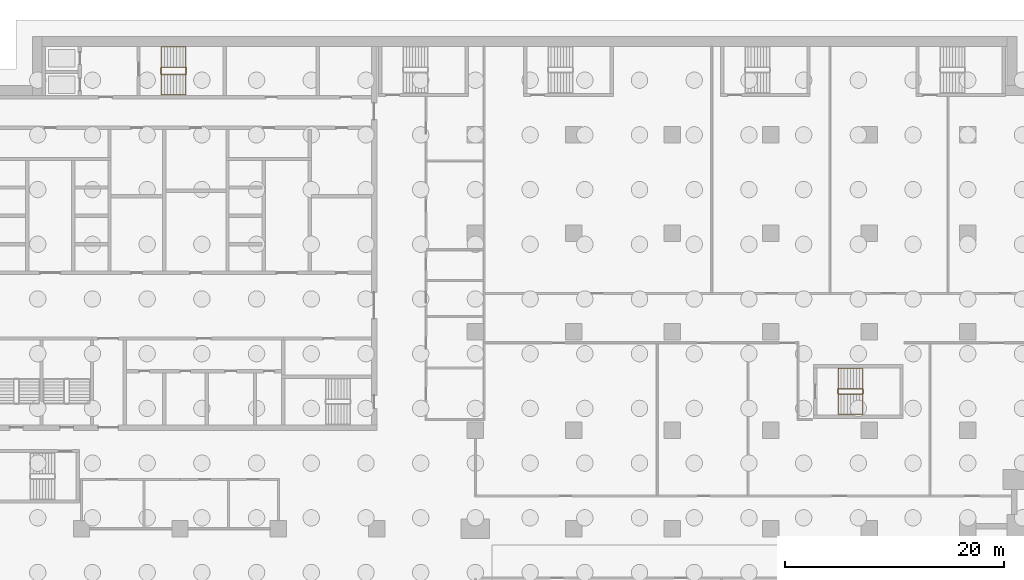
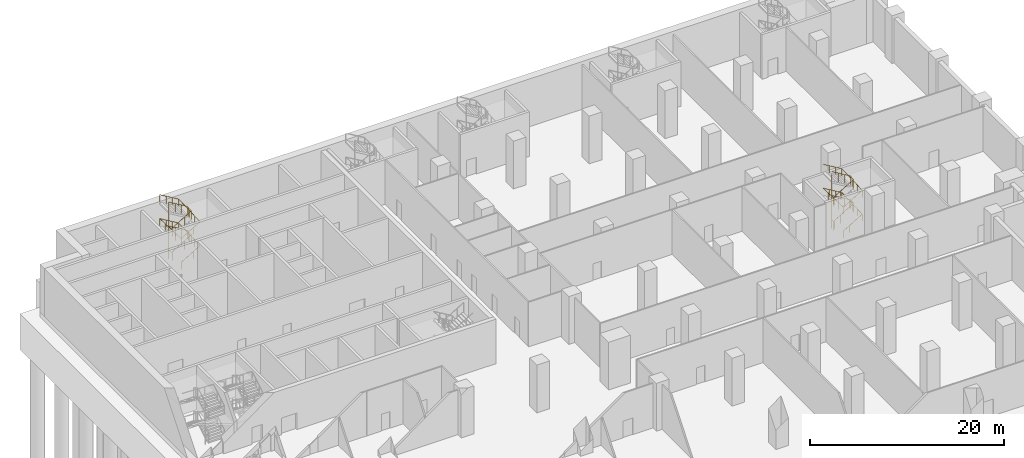
# One storey, part 22 of 25: 4 railings.
"""IFC4 building model written with IfcOpenShell, lengths in metres."""

from ifc_helpers import new_model, si_unit, direction, frame, origin, origin_2d, place, context, subcontext, project, spatial, circle, extrude, material, type_object, element, save


model = new_model("IFC4")

# Units and contexts
model_context = context("Model", 3, precision=1e-05, world=origin(), true_north=direction((0.0, 1.0)))
body_context = subcontext(model_context, "Body", "Model", "MODEL_VIEW")
ifc_project = project(units=[si_unit("LENGTHUNIT", "METRE"), si_unit("AREAUNIT", "SQUARE_METRE"), si_unit("VOLUMEUNIT", "CUBIC_METRE"), si_unit("PLANEANGLEUNIT", "RADIAN"), si_unit("MASSUNIT", "GRAM", prefix="KILO")], contexts=[model_context])

# Site, building, storey
site_placement = place(None, origin())
site = spatial("IfcSite", under=ifc_project, at=site_placement, CompositionType="ELEMENT")
building_placement = place(site_placement, origin())
building = spatial("IfcBuilding", under=site, at=building_placement, Name="Hunhe Ridgeline Campus", CompositionType="ELEMENT")
storey_placement = place(building_placement, frame((0.0, 0.0, -6.0)))
storey = spatial("IfcBuildingStorey", under=building, at=storey_placement, Name="B1", CompositionType="ELEMENT", Elevation=-6.0)

# Railings
ifc_material_1 = material(Name="Stainless steel balustrade", Category="steel")
railing_type_1 = type_object("IfcRailingType", Name="Stair guard 1100 stainless", PredefinedType="GUARDRAIL", material=ifc_material_1)
railing_1_placement = place(storey_placement, frame((16.300048828125, 95.5, 0.166748046875)))
element("IfcRailing", 1, at=railing_1_placement, inside=storey, type_object=railing_type_1, Name="B1 stair S1 guard", PredefinedType="GUARDRAIL", context=body_context, shape_type="SweptSolid", body=[
    extrude(circle(Radius=0.02392578125, at=origin_2d()), frame((0.0, 0.0, 1.076171875), z_axis=(0.859305625298, 0.0, 0.511462454469), x_axis=(0.0, 1.0, 0.0)), (0.0, 0.0, 1.0), 2.606689453125),
    extrude(circle(Radius=0.02392578125, at=origin_2d()), frame((2.239990234375, 0.0, 2.4091796875), z_axis=(0.707106781187, 0.707106781187, 0.0), x_axis=(-0.707106781187, 0.707106781187, 0.0)), (0.0, 0.0, 1.0), 0.07080078125),
    extrude(circle(Radius=0.02392578125, at=origin_2d()), frame((2.2900390625, 0.050048828125, 2.4091796875), z_axis=(0.0, 1.0, 0.0), x_axis=(-1.0, 0.0, 0.0)), (0.0, 0.0, 1.0), 0.599853515625),
    extrude(circle(Radius=0.02392578125, at=origin_2d()), frame((2.2900390625, 0.64990234375, 2.4091796875), z_axis=(-0.27628659633, 0.27628659633, 0.920506074601), x_axis=(-0.707106781187, -0.707106781187, 0.0)), (0.0, 0.0, 1.0), 0.18115234375),
    extrude(circle(Radius=0.02392578125, at=origin_2d()), frame((2.239990234375, 0.699951171875, 2.576171875), z_axis=(-0.859305625298, 0.0, 0.511462454469), x_axis=(0.0, -1.0, 0.0)), (0.0, 0.0, 1.0), 2.606689453125),
    extrude(circle(Radius=0.02392578125, at=origin_2d()), frame((0.0, 0.699951171875, 3.9091796875), z_axis=(-0.707106781187, -0.707106781187, 0.0), x_axis=(0.707106781187, -0.707106781187, 0.0)), (0.0, 0.0, 1.0), 0.07080078125),
    extrude(circle(Radius=0.02392578125, at=origin_2d()), frame((-0.050048828125, 0.64990234375, 3.9091796875), z_axis=(0.0, -1.0, 0.0), x_axis=(1.0, 0.0, 0.0)), (0.0, 0.0, 1.0), 0.599853515625),
    extrude(circle(Radius=0.02392578125, at=origin_2d()), frame((-0.050048828125, 0.050048828125, 3.9091796875), z_axis=(0.27628659633, -0.27628659633, 0.920506074601), x_axis=(0.707106781187, 0.707106781187, 0.0)), (0.0, 0.0, 1.0), 0.18115234375),
    extrude(circle(Radius=0.02392578125, at=origin_2d()), frame((0.0, 0.0, 4.076171875), z_axis=(0.859305625298, 0.0, 0.511462454469), x_axis=(0.0, 1.0, 0.0)), (0.0, 0.0, 1.0), 2.606689453125),
    extrude(circle(Radius=0.02392578125, at=origin_2d()), frame((2.239990234375, 0.0, 5.4091796875), z_axis=(0.707106781187, 0.707106781187, 0.0), x_axis=(-0.707106781187, 0.707106781187, 0.0)), (0.0, 0.0, 1.0), 0.07080078125),
    extrude(circle(Radius=0.02392578125, at=origin_2d()), frame((2.2900390625, 0.050048828125, 5.4091796875), z_axis=(0.0, 1.0, 0.0), x_axis=(-1.0, 0.0, 0.0)), (0.0, 0.0, 1.0), 0.599853515625),
    extrude(circle(Radius=0.02392578125, at=origin_2d()), frame((2.2900390625, 0.64990234375, 5.4091796875), z_axis=(-0.27628659633, 0.27628659633, 0.920506074601), x_axis=(-0.707106781187, -0.707106781187, 0.0)), (0.0, 0.0, 1.0), 0.18115234375),
    extrude(circle(Radius=0.02392578125, at=origin_2d()), frame((2.239990234375, 0.699951171875, 5.576171875), z_axis=(-0.859305625298, 0.0, 0.511462454469), x_axis=(0.0, -1.0, 0.0)), (0.0, 0.0, 1.0), 2.606689453125),
    extrude(circle(Radius=0.02392578125, at=origin_2d()), frame((0.0, 0.699951171875, 6.9091796875), z_axis=(-0.008340891014, -0.008340891014, -0.999930427117), x_axis=(1.0, 0.0, 0.0)), (0.0, 0.0, 1.0), 6.00048828125),
    extrude(circle(Radius=0.02392578125, at=origin_2d()), frame((-0.050048828125, 0.64990234375, 0.9091796875), z_axis=(0.0, -1.0, 0.0), x_axis=(1.0, 0.0, 0.0)), (0.0, 0.0, 1.0), 0.599853515625),
    extrude(circle(Radius=0.02099609375, at=origin_2d()), origin(), (0.0, 0.0, 1.0), 1.052001953125),
    extrude(circle(Radius=0.02099609375, at=origin_2d()), frame((0.74658203125, 0.0, 0.4443359375)), (0.0, 0.0, 1.0), 1.052001953125),
    extrude(circle(Radius=0.02099609375, at=origin_2d()), frame((1.493408203125, 0.0, 0.888916015625)), (0.0, 0.0, 1.0), 1.052001953125),
    extrude(circle(Radius=0.02099609375, at=origin_2d()), frame((2.239990234375, 0.0, 1.333251953125)), (0.0, 0.0, 1.0), 1.052001953125),
    extrude(circle(Radius=0.02099609375, at=origin_2d()), frame((2.2900390625, 0.050048828125, 1.333251953125)), (0.0, 0.0, 1.0), 1.052001953125),
    extrude(circle(Radius=0.02099609375, at=origin_2d()), frame((2.2900390625, 0.64990234375, 1.333251953125)), (0.0, 0.0, 1.0), 1.052001953125),
    extrude(circle(Radius=0.02099609375, at=origin_2d()), frame((2.239990234375, 0.699951171875, 1.5)), (0.0, 0.0, 1.0), 1.052001953125),
    extrude(circle(Radius=0.02099609375, at=origin_2d()), frame((1.493408203125, 0.699951171875, 1.9443359375)), (0.0, 0.0, 1.0), 1.052001953125),
    extrude(circle(Radius=0.02099609375, at=origin_2d()), frame((0.74658203125, 0.699951171875, 2.388916015625)), (0.0, 0.0, 1.0), 1.052001953125),
    extrude(circle(Radius=0.02099609375, at=origin_2d()), frame((0.0, 0.699951171875, 2.833251953125)), (0.0, 0.0, 1.0), 1.052001953125),
    extrude(circle(Radius=0.02099609375, at=origin_2d()), frame((-0.050048828125, 0.64990234375, 2.833251953125)), (0.0, 0.0, 1.0), 1.052001953125),
    extrude(circle(Radius=0.02099609375, at=origin_2d()), frame((-0.050048828125, 0.050048828125, 2.833251953125)), (0.0, 0.0, 1.0), 1.052001953125),
    extrude(circle(Radius=0.02099609375, at=origin_2d()), frame((0.0, 0.0, 3.0)), (0.0, 0.0, 1.0), 1.052001953125),
    extrude(circle(Radius=0.02099609375, at=origin_2d()), frame((0.74658203125, 0.0, 3.4443359375)), (0.0, 0.0, 1.0), 1.052001953125),
    extrude(circle(Radius=0.02099609375, at=origin_2d()), frame((1.493408203125, 0.0, 3.888916015625)), (0.0, 0.0, 1.0), 1.052001953125),
    extrude(circle(Radius=0.02099609375, at=origin_2d()), frame((2.239990234375, 0.0, 4.333251953125)), (0.0, 0.0, 1.0), 1.052001953125),
    extrude(circle(Radius=0.02099609375, at=origin_2d()), frame((2.2900390625, 0.050048828125, 4.333251953125)), (0.0, 0.0, 1.0), 1.052001953125),
    extrude(circle(Radius=0.02099609375, at=origin_2d()), frame((2.2900390625, 0.64990234375, 4.333251953125)), (0.0, 0.0, 1.0), 1.052001953125),
    extrude(circle(Radius=0.02099609375, at=origin_2d()), frame((2.239990234375, 0.699951171875, 4.5)), (0.0, 0.0, 1.0), 1.052001953125),
    extrude(circle(Radius=0.02099609375, at=origin_2d()), frame((1.493408203125, 0.699951171875, 4.9443359375)), (0.0, 0.0, 1.0), 1.052001953125),
    extrude(circle(Radius=0.02099609375, at=origin_2d()), frame((0.74658203125, 0.699951171875, 5.388916015625)), (0.0, 0.0, 1.0), 1.052001953125),
    extrude(circle(Radius=0.02099609375, at=origin_2d()), frame((0.0, 0.699951171875, 5.833251953125)), (0.0, 0.0, 1.0), 1.052001953125),
    extrude(circle(Radius=0.02099609375, at=origin_2d()), frame((-0.00830078125, 0.691650390625, 4.833251953125)), (0.0, 0.0, 1.0), 1.052001953125),
    extrude(circle(Radius=0.02099609375, at=origin_2d()), frame((-0.0166015625, 0.683349609375, 3.833251953125)), (0.0, 0.0, 1.0), 1.052001953125),
    extrude(circle(Radius=0.02099609375, at=origin_2d()), frame((-0.02490234375, 0.6748046875, 2.833251953125)), (0.0, 0.0, 1.0), 1.052001953125),
    extrude(circle(Radius=0.02099609375, at=origin_2d()), frame((-0.033447265625, 0.66650390625, 1.833251953125)), (0.0, 0.0, 1.0), 1.052001953125),
    extrude(circle(Radius=0.02099609375, at=origin_2d()), frame((-0.041748046875, 0.658203125, 0.833251953125)), (0.0, 0.0, 1.0), 1.052001953125),
    extrude(circle(Radius=0.02099609375, at=origin_2d()), frame((-0.050048828125, 0.64990234375, -0.166748046875)), (0.0, 0.0, 1.0), 1.052001953125),
    extrude(circle(Radius=0.02099609375, at=origin_2d()), frame((-0.050048828125, 0.050048828125, -0.166748046875)), (0.0, 0.0, 1.0), 1.052001953125),
])
railing_2_placement = place(storey_placement, frame((78.14990234375, 66.300048828125, 0.166748046875)))
element("IfcRailing", 2, at=railing_2_placement, inside=storey, type_object=railing_type_1, Name="B1 stair E5 guard", PredefinedType="GUARDRAIL", context=body_context, shape_type="SweptSolid", body=[
    extrude(circle(Radius=0.02392578125, at=origin_2d()), frame((0.0, 0.0, 1.076171875), z_axis=(0.859305625298, 0.0, 0.511462454469), x_axis=(0.0, 1.0, 0.0)), (0.0, 0.0, 1.0), 2.606689453125),
    extrude(circle(Radius=0.02392578125, at=origin_2d()), frame((2.239990234375, 0.0, 2.4091796875), z_axis=(0.707106781187, 0.707106781187, 0.0), x_axis=(-0.707106781187, 0.707106781187, 0.0)), (0.0, 0.0, 1.0), 0.07080078125),
    extrude(circle(Radius=0.02392578125, at=origin_2d()), frame((2.2900390625, 0.050048828125, 2.4091796875), z_axis=(0.0, 1.0, 0.0), x_axis=(-1.0, 0.0, 0.0)), (0.0, 0.0, 1.0), 0.39990234375),
    extrude(circle(Radius=0.02392578125, at=origin_2d()), frame((2.2900390625, 0.449951171875, 2.4091796875), z_axis=(-0.27628659633, 0.27628659633, 0.920506074601), x_axis=(-0.707106781187, -0.707106781187, 0.0)), (0.0, 0.0, 1.0), 0.18115234375),
    extrude(circle(Radius=0.02392578125, at=origin_2d()), frame((2.239990234375, 0.5, 2.576171875), z_axis=(-0.859305625298, 0.0, 0.511462454469), x_axis=(0.0, -1.0, 0.0)), (0.0, 0.0, 1.0), 2.606689453125),
    extrude(circle(Radius=0.02392578125, at=origin_2d()), frame((0.0, 0.5, 3.9091796875), z_axis=(-0.705375805398, -0.708833529934, 0.0), x_axis=(0.708833529934, -0.705375805398, 0.0)), (0.0, 0.0, 1.0), 0.070556640625),
    extrude(circle(Radius=0.02392578125, at=origin_2d()), frame((-0.0498046875, 0.449951171875, 3.9091796875), z_axis=(0.0, -1.0, 0.0), x_axis=(1.0, 0.0, 0.0)), (0.0, 0.0, 1.0), 0.39990234375),
    extrude(circle(Radius=0.02392578125, at=origin_2d()), frame((-0.0498046875, 0.050048828125, 3.9091796875), z_axis=(0.275041040955, -0.276389281352, 0.920848191041), x_axis=(0.708833529934, 0.705375805398, 0.0)), (0.0, 0.0, 1.0), 0.18115234375),
    extrude(circle(Radius=0.02392578125, at=origin_2d()), frame((0.0, 0.0, 4.076171875), z_axis=(0.859305625298, 0.0, 0.511462454469), x_axis=(0.0, 1.0, 0.0)), (0.0, 0.0, 1.0), 2.606689453125),
    extrude(circle(Radius=0.02392578125, at=origin_2d()), frame((2.239990234375, 0.0, 5.4091796875), z_axis=(0.707106781187, 0.707106781187, 0.0), x_axis=(-0.707106781187, 0.707106781187, 0.0)), (0.0, 0.0, 1.0), 0.07080078125),
    extrude(circle(Radius=0.02392578125, at=origin_2d()), frame((2.2900390625, 0.050048828125, 5.4091796875), z_axis=(0.0, 1.0, 0.0), x_axis=(-1.0, 0.0, 0.0)), (0.0, 0.0, 1.0), 0.39990234375),
    extrude(circle(Radius=0.02392578125, at=origin_2d()), frame((2.2900390625, 0.449951171875, 5.4091796875), z_axis=(-0.27628659633, 0.27628659633, 0.920506074601), x_axis=(-0.707106781187, -0.707106781187, 0.0)), (0.0, 0.0, 1.0), 0.18115234375),
    extrude(circle(Radius=0.02392578125, at=origin_2d()), frame((2.239990234375, 0.5, 5.576171875), z_axis=(-0.859305625298, 0.0, 0.511462454469), x_axis=(0.0, -1.0, 0.0)), (0.0, 0.0, 1.0), 2.606689453125),
    extrude(circle(Radius=0.02392578125, at=origin_2d()), frame((0.0, 0.5, 6.9091796875), z_axis=(-0.008300206551, -0.008340893838, -0.999930765634), x_axis=(1.0, 0.0, 0.0)), (0.0, 0.0, 1.0), 6.00048828125),
    extrude(circle(Radius=0.02392578125, at=origin_2d()), frame((-0.0498046875, 0.449951171875, 0.9091796875), z_axis=(0.0, -1.0, 0.0), x_axis=(1.0, 0.0, 0.0)), (0.0, 0.0, 1.0), 0.39990234375),
    extrude(circle(Radius=0.02099609375, at=origin_2d()), origin(), (0.0, 0.0, 1.0), 1.052001953125),
    extrude(circle(Radius=0.02099609375, at=origin_2d()), frame((0.74658203125, 0.0, 0.4443359375)), (0.0, 0.0, 1.0), 1.052001953125),
    extrude(circle(Radius=0.02099609375, at=origin_2d()), frame((1.493408203125, 0.0, 0.888916015625)), (0.0, 0.0, 1.0), 1.052001953125),
    extrude(circle(Radius=0.02099609375, at=origin_2d()), frame((2.239990234375, 0.0, 1.333251953125)), (0.0, 0.0, 1.0), 1.052001953125),
    extrude(circle(Radius=0.02099609375, at=origin_2d()), frame((2.2900390625, 0.050048828125, 1.333251953125)), (0.0, 0.0, 1.0), 1.052001953125),
    extrude(circle(Radius=0.02099609375, at=origin_2d()), frame((2.2900390625, 0.449951171875, 1.333251953125)), (0.0, 0.0, 1.0), 1.052001953125),
    extrude(circle(Radius=0.02099609375, at=origin_2d()), frame((2.239990234375, 0.5, 1.5)), (0.0, 0.0, 1.0), 1.052001953125),
    extrude(circle(Radius=0.02099609375, at=origin_2d()), frame((1.493408203125, 0.5, 1.9443359375)), (0.0, 0.0, 1.0), 1.052001953125),
    extrude(circle(Radius=0.02099609375, at=origin_2d()), frame((0.74658203125, 0.5, 2.388916015625)), (0.0, 0.0, 1.0), 1.052001953125),
    extrude(circle(Radius=0.02099609375, at=origin_2d()), frame((0.0, 0.5, 2.833251953125)), (0.0, 0.0, 1.0), 1.052001953125),
    extrude(circle(Radius=0.02099609375, at=origin_2d()), frame((-0.0498046875, 0.449951171875, 2.833251953125)), (0.0, 0.0, 1.0), 1.052001953125),
    extrude(circle(Radius=0.02099609375, at=origin_2d()), frame((-0.0498046875, 0.050048828125, 2.833251953125)), (0.0, 0.0, 1.0), 1.052001953125),
    extrude(circle(Radius=0.02099609375, at=origin_2d()), frame((0.0, 0.0, 3.0)), (0.0, 0.0, 1.0), 1.052001953125),
    extrude(circle(Radius=0.02099609375, at=origin_2d()), frame((0.74658203125, 0.0, 3.4443359375)), (0.0, 0.0, 1.0), 1.052001953125),
    extrude(circle(Radius=0.02099609375, at=origin_2d()), frame((1.493408203125, 0.0, 3.888916015625)), (0.0, 0.0, 1.0), 1.052001953125),
    extrude(circle(Radius=0.02099609375, at=origin_2d()), frame((2.239990234375, 0.0, 4.333251953125)), (0.0, 0.0, 1.0), 1.052001953125),
    extrude(circle(Radius=0.02099609375, at=origin_2d()), frame((2.2900390625, 0.050048828125, 4.333251953125)), (0.0, 0.0, 1.0), 1.052001953125),
    extrude(circle(Radius=0.02099609375, at=origin_2d()), frame((2.2900390625, 0.449951171875, 4.333251953125)), (0.0, 0.0, 1.0), 1.052001953125),
    extrude(circle(Radius=0.02099609375, at=origin_2d()), frame((2.239990234375, 0.5, 4.5)), (0.0, 0.0, 1.0), 1.052001953125),
    extrude(circle(Radius=0.02099609375, at=origin_2d()), frame((1.493408203125, 0.5, 4.9443359375)), (0.0, 0.0, 1.0), 1.052001953125),
    extrude(circle(Radius=0.02099609375, at=origin_2d()), frame((0.74658203125, 0.5, 5.388916015625)), (0.0, 0.0, 1.0), 1.052001953125),
    extrude(circle(Radius=0.02099609375, at=origin_2d()), frame((0.0, 0.5, 5.833251953125)), (0.0, 0.0, 1.0), 1.052001953125),
    extrude(circle(Radius=0.02099609375, at=origin_2d()), frame((-0.00830078125, 0.49169921875, 4.833251953125)), (0.0, 0.0, 1.0), 1.052001953125),
    extrude(circle(Radius=0.02099609375, at=origin_2d()), frame((-0.0166015625, 0.4833984375, 3.833251953125)), (0.0, 0.0, 1.0), 1.052001953125),
    extrude(circle(Radius=0.02099609375, at=origin_2d()), frame((-0.02490234375, 0.47509765625, 2.833251953125)), (0.0, 0.0, 1.0), 1.052001953125),
    extrude(circle(Radius=0.02099609375, at=origin_2d()), frame((-0.033203125, 0.466552734375, 1.833251953125)), (0.0, 0.0, 1.0), 1.052001953125),
    extrude(circle(Radius=0.02099609375, at=origin_2d()), frame((-0.04150390625, 0.458251953125, 0.833251953125)), (0.0, 0.0, 1.0), 1.052001953125),
    extrude(circle(Radius=0.02099609375, at=origin_2d()), frame((-0.0498046875, 0.449951171875, -0.166748046875)), (0.0, 0.0, 1.0), 1.052001953125),
    extrude(circle(Radius=0.02099609375, at=origin_2d()), frame((-0.0498046875, 0.050048828125, -0.166748046875)), (0.0, 0.0, 1.0), 1.052001953125),
])
ifc_material_2 = material(Name="Stainless steel handrail", Category="steel")
railing_type_2 = type_object("IfcRailingType", Name="Stair handrail 900 stainless", PredefinedType="HANDRAIL", material=ifc_material_2)
railing_3_placement = place(storey_placement, frame((16.300048828125, 93.64990234375, 0.166748046875)))
element("IfcRailing", 3, at=railing_3_placement, inside=storey, type_object=railing_type_2, Name="B1 stair S1 handrail", PredefinedType="HANDRAIL", context=body_context, shape_type="SweptSolid", body=[
    extrude(circle(Radius=0.02392578125, at=origin_2d()), frame((0.0, 0.0, 0.8759765625), z_axis=(0.859305625298, 0.0, 0.511462454469), x_axis=(0.0, 1.0, 0.0)), (0.0, 0.0, 1.0), 2.606689453125),
    extrude(circle(Radius=0.02392578125, at=origin_2d()), frame((2.239990234375, 0.0, 2.208984375), z_axis=(0.0, 0.999282718246, 0.037868839625), x_axis=(-1.0, 0.0, 0.0)), (0.0, 0.0, 1.0), 4.4033203125),
    extrude(circle(Radius=0.02392578125, at=origin_2d()), frame((2.239990234375, 4.400146484375, 2.3759765625), z_axis=(-0.859305625298, 0.0, 0.511462454469), x_axis=(0.0, -1.0, 0.0)), (0.0, 0.0, 1.0), 2.606689453125),
    extrude(circle(Radius=0.02392578125, at=origin_2d()), frame((0.0, 4.400146484375, 3.708984375), z_axis=(0.0, -0.999282718246, 0.037868839625), x_axis=(1.0, 0.0, 0.0)), (0.0, 0.0, 1.0), 4.4033203125),
    extrude(circle(Radius=0.02392578125, at=origin_2d()), frame((0.0, 0.0, 3.8759765625), z_axis=(0.859305625298, 0.0, 0.511462454469), x_axis=(0.0, 1.0, 0.0)), (0.0, 0.0, 1.0), 2.606689453125),
    extrude(circle(Radius=0.02392578125, at=origin_2d()), frame((2.239990234375, 0.0, 5.208984375), z_axis=(0.0, 0.999282718246, 0.037868839625), x_axis=(-1.0, 0.0, 0.0)), (0.0, 0.0, 1.0), 4.4033203125),
    extrude(circle(Radius=0.02392578125, at=origin_2d()), frame((2.239990234375, 4.400146484375, 5.3759765625), z_axis=(-0.859305625298, 0.0, 0.511462454469), x_axis=(0.0, -1.0, 0.0)), (0.0, 0.0, 1.0), 2.606689453125),
    extrude(circle(Radius=0.02099609375, at=origin_2d()), origin(), (0.0, 0.0, 1.0), 0.851806640625),
    extrude(circle(Radius=0.02099609375, at=origin_2d()), frame((0.74658203125, 0.0, 0.4443359375)), (0.0, 0.0, 1.0), 0.851806640625),
    extrude(circle(Radius=0.02099609375, at=origin_2d()), frame((1.493408203125, 0.0, 0.888916015625)), (0.0, 0.0, 1.0), 0.851806640625),
    extrude(circle(Radius=0.02099609375, at=origin_2d()), frame((2.239990234375, 0.0, 1.333251953125)), (0.0, 0.0, 1.0), 0.851806640625),
    extrude(circle(Radius=0.02099609375, at=origin_2d()), frame((2.239990234375, 1.10009765625, 1.375)), (0.0, 0.0, 1.0), 0.851806640625),
    extrude(circle(Radius=0.02099609375, at=origin_2d()), frame((2.239990234375, 2.2001953125, 1.41650390625)), (0.0, 0.0, 1.0), 0.851806640625),
    extrude(circle(Radius=0.02099609375, at=origin_2d()), frame((2.239990234375, 3.300048828125, 1.458251953125)), (0.0, 0.0, 1.0), 0.851806640625),
    extrude(circle(Radius=0.02099609375, at=origin_2d()), frame((2.239990234375, 4.400146484375, 1.5)), (0.0, 0.0, 1.0), 0.851806640625),
    extrude(circle(Radius=0.02099609375, at=origin_2d()), frame((1.493408203125, 4.400146484375, 1.9443359375)), (0.0, 0.0, 1.0), 0.851806640625),
    extrude(circle(Radius=0.02099609375, at=origin_2d()), frame((0.74658203125, 4.400146484375, 2.388916015625)), (0.0, 0.0, 1.0), 0.851806640625),
    extrude(circle(Radius=0.02099609375, at=origin_2d()), frame((0.0, 4.400146484375, 2.833251953125)), (0.0, 0.0, 1.0), 0.851806640625),
    extrude(circle(Radius=0.02099609375, at=origin_2d()), frame((0.0, 3.300048828125, 2.875)), (0.0, 0.0, 1.0), 0.851806640625),
    extrude(circle(Radius=0.02099609375, at=origin_2d()), frame((0.0, 2.2001953125, 2.91650390625)), (0.0, 0.0, 1.0), 0.851806640625),
    extrude(circle(Radius=0.02099609375, at=origin_2d()), frame((0.0, 1.10009765625, 2.958251953125)), (0.0, 0.0, 1.0), 0.851806640625),
    extrude(circle(Radius=0.02099609375, at=origin_2d()), frame((0.0, 0.0, 3.0)), (0.0, 0.0, 1.0), 0.851806640625),
    extrude(circle(Radius=0.02099609375, at=origin_2d()), frame((0.74658203125, 0.0, 3.4443359375)), (0.0, 0.0, 1.0), 0.851806640625),
    extrude(circle(Radius=0.02099609375, at=origin_2d()), frame((1.493408203125, 0.0, 3.888916015625)), (0.0, 0.0, 1.0), 0.851806640625),
    extrude(circle(Radius=0.02099609375, at=origin_2d()), frame((2.239990234375, 0.0, 4.333251953125)), (0.0, 0.0, 1.0), 0.851806640625),
    extrude(circle(Radius=0.02099609375, at=origin_2d()), frame((2.239990234375, 1.10009765625, 4.375)), (0.0, 0.0, 1.0), 0.851806640625),
    extrude(circle(Radius=0.02099609375, at=origin_2d()), frame((2.239990234375, 2.2001953125, 4.41650390625)), (0.0, 0.0, 1.0), 0.851806640625),
    extrude(circle(Radius=0.02099609375, at=origin_2d()), frame((2.239990234375, 3.300048828125, 4.458251953125)), (0.0, 0.0, 1.0), 0.851806640625),
    extrude(circle(Radius=0.02099609375, at=origin_2d()), frame((2.239990234375, 4.400146484375, 4.5)), (0.0, 0.0, 1.0), 0.851806640625),
    extrude(circle(Radius=0.02099609375, at=origin_2d()), frame((1.493408203125, 4.400146484375, 4.9443359375)), (0.0, 0.0, 1.0), 0.851806640625),
    extrude(circle(Radius=0.02099609375, at=origin_2d()), frame((0.74658203125, 4.400146484375, 5.388916015625)), (0.0, 0.0, 1.0), 0.851806640625),
    extrude(circle(Radius=0.02099609375, at=origin_2d()), frame((0.0, 4.400146484375, 5.833251953125)), (0.0, 0.0, 1.0), 0.851806640625),
])
railing_4_placement = place(storey_placement, frame((78.14990234375, 64.449951171875, 0.166748046875)))
element("IfcRailing", 4, at=railing_4_placement, inside=storey, type_object=railing_type_2, Name="B1 stair E5 handrail", PredefinedType="HANDRAIL", context=body_context, shape_type="SweptSolid", body=[
    extrude(circle(Radius=0.02392578125, at=origin_2d()), frame((0.0, 0.0, 0.8759765625), z_axis=(0.859305625298, 0.0, 0.511462454469), x_axis=(0.0, 1.0, 0.0)), (0.0, 0.0, 1.0), 2.606689453125),
    extrude(circle(Radius=0.02392578125, at=origin_2d()), frame((2.239990234375, 0.0, 2.208984375), z_axis=(0.0, 0.999212791134, 0.039671123429), x_axis=(-1.0, 0.0, 0.0)), (0.0, 0.0, 1.0), 4.203369140625),
    extrude(circle(Radius=0.02392578125, at=origin_2d()), frame((2.239990234375, 4.199951171875, 2.3759765625), z_axis=(-0.859305625298, 0.0, 0.511462454469), x_axis=(0.0, -1.0, 0.0)), (0.0, 0.0, 1.0), 2.606689453125),
    extrude(circle(Radius=0.02392578125, at=origin_2d()), frame((0.0, 4.199951171875, 3.708984375), z_axis=(0.0, -0.999212791134, 0.039671123429), x_axis=(1.0, 0.0, 0.0)), (0.0, 0.0, 1.0), 4.203369140625),
    extrude(circle(Radius=0.02392578125, at=origin_2d()), frame((0.0, 0.0, 3.8759765625), z_axis=(0.859305625298, 0.0, 0.511462454469), x_axis=(0.0, 1.0, 0.0)), (0.0, 0.0, 1.0), 2.606689453125),
    extrude(circle(Radius=0.02392578125, at=origin_2d()), frame((2.239990234375, 0.0, 5.208984375), z_axis=(0.0, 0.999212791134, 0.039671123429), x_axis=(-1.0, 0.0, 0.0)), (0.0, 0.0, 1.0), 4.203369140625),
    extrude(circle(Radius=0.02392578125, at=origin_2d()), frame((2.239990234375, 4.199951171875, 5.3759765625), z_axis=(-0.859305625298, 0.0, 0.511462454469), x_axis=(0.0, -1.0, 0.0)), (0.0, 0.0, 1.0), 2.606689453125),
    extrude(circle(Radius=0.02099609375, at=origin_2d()), origin(), (0.0, 0.0, 1.0), 0.851806640625),
    extrude(circle(Radius=0.02099609375, at=origin_2d()), frame((0.74658203125, 0.0, 0.4443359375)), (0.0, 0.0, 1.0), 0.851806640625),
    extrude(circle(Radius=0.02099609375, at=origin_2d()), frame((1.493408203125, 0.0, 0.888916015625)), (0.0, 0.0, 1.0), 0.851806640625),
    extrude(circle(Radius=0.02099609375, at=origin_2d()), frame((2.239990234375, 0.0, 1.333251953125)), (0.0, 0.0, 1.0), 0.851806640625),
    extrude(circle(Radius=0.02099609375, at=origin_2d()), frame((2.239990234375, 1.050048828125, 1.375)), (0.0, 0.0, 1.0), 0.851806640625),
    extrude(circle(Radius=0.02099609375, at=origin_2d()), frame((2.239990234375, 2.10009765625, 1.41650390625)), (0.0, 0.0, 1.0), 0.851806640625),
    extrude(circle(Radius=0.02099609375, at=origin_2d()), frame((2.239990234375, 3.14990234375, 1.458251953125)), (0.0, 0.0, 1.0), 0.851806640625),
    extrude(circle(Radius=0.02099609375, at=origin_2d()), frame((2.239990234375, 4.199951171875, 1.5)), (0.0, 0.0, 1.0), 0.851806640625),
    extrude(circle(Radius=0.02099609375, at=origin_2d()), frame((1.493408203125, 4.199951171875, 1.9443359375)), (0.0, 0.0, 1.0), 0.851806640625),
    extrude(circle(Radius=0.02099609375, at=origin_2d()), frame((0.74658203125, 4.199951171875, 2.388916015625)), (0.0, 0.0, 1.0), 0.851806640625),
    extrude(circle(Radius=0.02099609375, at=origin_2d()), frame((0.0, 4.199951171875, 2.833251953125)), (0.0, 0.0, 1.0), 0.851806640625),
    extrude(circle(Radius=0.02099609375, at=origin_2d()), frame((0.0, 3.14990234375, 2.875)), (0.0, 0.0, 1.0), 0.851806640625),
    extrude(circle(Radius=0.02099609375, at=origin_2d()), frame((0.0, 2.10009765625, 2.91650390625)), (0.0, 0.0, 1.0), 0.851806640625),
    extrude(circle(Radius=0.02099609375, at=origin_2d()), frame((0.0, 1.050048828125, 2.958251953125)), (0.0, 0.0, 1.0), 0.851806640625),
    extrude(circle(Radius=0.02099609375, at=origin_2d()), frame((0.0, 0.0, 3.0)), (0.0, 0.0, 1.0), 0.851806640625),
    extrude(circle(Radius=0.02099609375, at=origin_2d()), frame((0.74658203125, 0.0, 3.4443359375)), (0.0, 0.0, 1.0), 0.851806640625),
    extrude(circle(Radius=0.02099609375, at=origin_2d()), frame((1.493408203125, 0.0, 3.888916015625)), (0.0, 0.0, 1.0), 0.851806640625),
    extrude(circle(Radius=0.02099609375, at=origin_2d()), frame((2.239990234375, 0.0, 4.333251953125)), (0.0, 0.0, 1.0), 0.851806640625),
    extrude(circle(Radius=0.02099609375, at=origin_2d()), frame((2.239990234375, 1.050048828125, 4.375)), (0.0, 0.0, 1.0), 0.851806640625),
    extrude(circle(Radius=0.02099609375, at=origin_2d()), frame((2.239990234375, 2.10009765625, 4.41650390625)), (0.0, 0.0, 1.0), 0.851806640625),
    extrude(circle(Radius=0.02099609375, at=origin_2d()), frame((2.239990234375, 3.14990234375, 4.458251953125)), (0.0, 0.0, 1.0), 0.851806640625),
    extrude(circle(Radius=0.02099609375, at=origin_2d()), frame((2.239990234375, 4.199951171875, 4.5)), (0.0, 0.0, 1.0), 0.851806640625),
    extrude(circle(Radius=0.02099609375, at=origin_2d()), frame((1.493408203125, 4.199951171875, 4.9443359375)), (0.0, 0.0, 1.0), 0.851806640625),
    extrude(circle(Radius=0.02099609375, at=origin_2d()), frame((0.74658203125, 4.199951171875, 5.388916015625)), (0.0, 0.0, 1.0), 0.851806640625),
    extrude(circle(Radius=0.02099609375, at=origin_2d()), frame((0.0, 4.199951171875, 5.833251953125)), (0.0, 0.0, 1.0), 0.851806640625),
])

save(model, "model.ifc")
